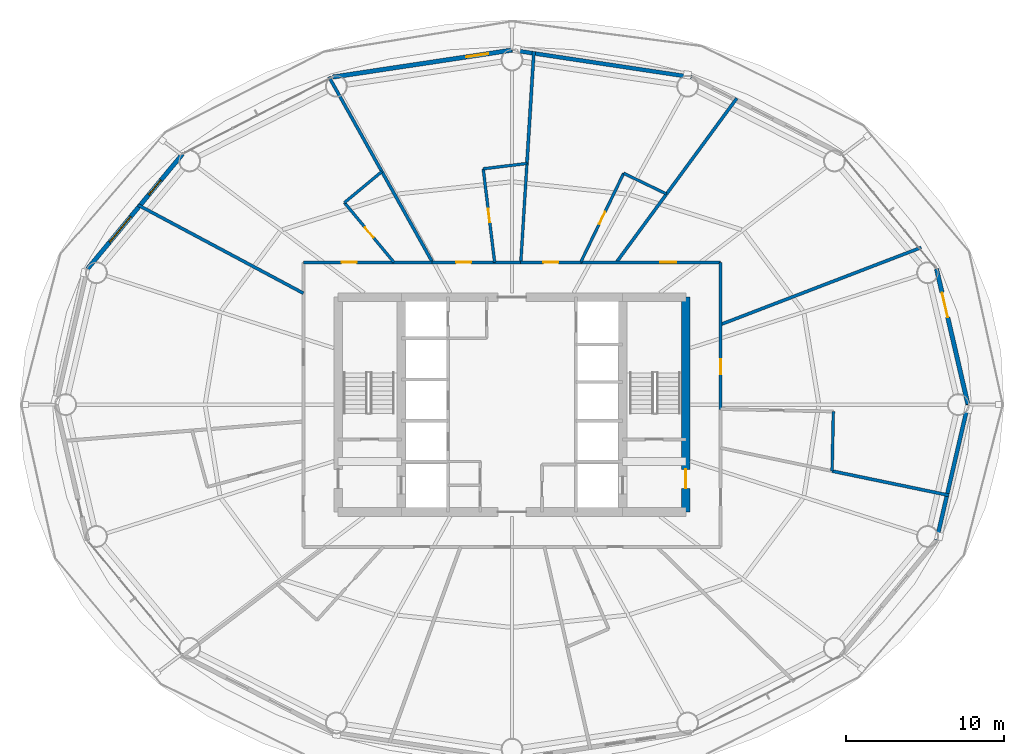
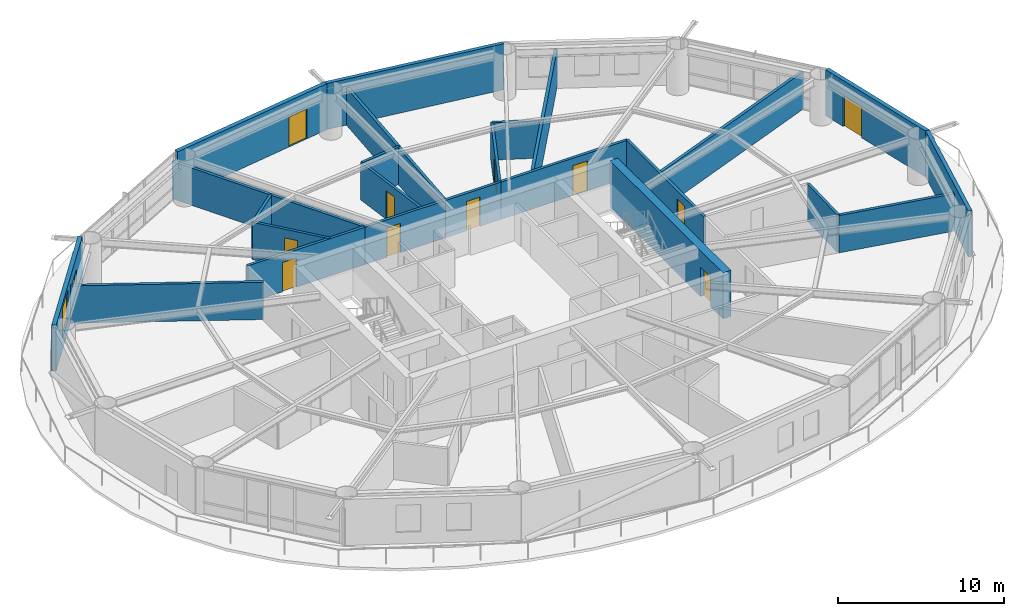
# One storey, part 20 of 24: 25 walls, 11 doors, 2 windows, 13 openings.
"""IFC4 building model written with IfcOpenShell, lengths in metres."""

from ifc_helpers import new_model, si_unit, direction, frame, frame_2d, origin, place, context, subcontext, project, spatial, rectangle, extrude, material, layer, layer_set, type_object, element, fill, save


model = new_model("IFC4")

# Units and contexts
model_context = context("Model", 3, precision=1e-05, world=origin(), true_north=direction((0.0, 1.0)))
body_context = subcontext(model_context, "Body", "Model", "MODEL_VIEW")
ifc_project = project(units=[si_unit("LENGTHUNIT", "METRE"), si_unit("AREAUNIT", "SQUARE_METRE"), si_unit("VOLUMEUNIT", "CUBIC_METRE"), si_unit("PLANEANGLEUNIT", "RADIAN"), si_unit("MASSUNIT", "GRAM", prefix="KILO")], contexts=[model_context])

# Site, building, storey
site_placement = place(None, origin())
site = spatial("IfcSite", under=ifc_project, at=site_placement, CompositionType="ELEMENT")
building_placement = place(site_placement, origin())
building = spatial("IfcBuilding", under=site, at=building_placement, Name="Sarneth Arch Tower", CompositionType="ELEMENT")
storey_placement = place(building_placement, frame((0.0, 0.0, 127.199951171875)))
storey = spatial("IfcBuildingStorey", under=building, at=storey_placement, Name="L32", CompositionType="ELEMENT", Elevation=127.199951171875)

# Wall, opening, door
ifc_material_1 = material(Name="Concrete C60/75", Category="concrete")
ifc_layer_1 = layer(ifc_material_1, 0.550048828125)
ifc_layer_set_1 = layer_set([ifc_layer_1], Name="Concrete C60/75")
wall_type_1 = type_object("IfcWallType", Name="WALL-CORE-550", PredefinedType="SHEAR", material=ifc_layer_set_1)
wall_1_placement = place(storey_placement, frame((59.0, 35.199951171875, 0.0), z_axis=(0.0, 0.0, 1.0), x_axis=(0.0, 1.0, 0.0)))
wall_1 = element("IfcWall", 1, at=wall_1_placement, inside=storey, type_object=wall_type_1, Name="L32 Core shear wall E", PredefinedType="SHEAR", context=body_context, shape_type="SweptSolid", body=[
    extrude(rectangle(XDim=13.60009765625, YDim=0.550048828125, at=frame_2d((6.800048828125, 0.0))), origin(), (0.0, 0.0, 1.0), 3.380126953125),
])
opening_1_placement = place(wall_1_placement, frame((1.5, 0.0, 0.0)))
opening_1 = element("IfcOpeningElement", 2, at=opening_1_placement, cuts=wall_1, Name="Opening FD-02", PredefinedType="OPENING", context=body_context, shape_type="SweptSolid", body=[
    extrude(rectangle(XDim=1.199951171875, YDim=2.14990234375, at=frame_2d((0.60009765625, 1.074951171875))), frame((0.0, 0.284912109375, 0.0), z_axis=(0.0, -1.0, 0.0), x_axis=(1.0, 0.0, 0.0)), (0.0, 0.0, 1.0), 0.570068359375),
])
ifc_material_2 = material(Name="Galvanised Steel S275 fire door set", Category="steel")
door_type_1 = type_object("IfcDoorType", Name="DR-FD90-1200", OperationType="SINGLE_SWING_LEFT", PredefinedType="DOOR", material=ifc_material_2)
door_1_placement = place(opening_1_placement, origin())
door_1 = element("IfcDoor", 3, at=door_1_placement, inside=storey, type_object=door_type_1, Name="L32 Firefighting lobby 2 exit door", OperationType="SINGLE_SWING_RIGHT", OverallHeight=2.14990234375, OverallWidth=1.199951171875, PredefinedType="DOOR", context=body_context, shape_type="SweptSolid", body=[
    extrude(rectangle(XDim=1.199951171875, YDim=2.14990234375, at=frame_2d((0.60009765625, 1.074951171875))), frame((0.0, 0.02490234375, 0.0), z_axis=(0.0, -1.0, 0.0), x_axis=(1.0, 0.0, 0.0)), (0.0, 0.0, 1.0), 0.050048828125),
])
fill(opening_1, door_1)

ifc_material_3 = material(Name="Double steel-stud corridor fire wall", Category="steel")
ifc_layer_2 = layer(ifc_material_3, 0.18994140625)
ifc_layer_set_2 = layer_set([ifc_layer_2], Name="Double steel-stud corridor fire wall")
wall_type_2 = type_object("IfcWallType", Name="WALL-CORR-190", PredefinedType="PARTITIONING", material=ifc_layer_set_2)
wall_2_placement = place(storey_placement, frame((52.31005859375, 51.0, 0.0), z_axis=(0.0, 0.0, 1.0), x_axis=(1.0, 0.0, 0.0)))
wall_2 = element("IfcWall", 4, at=wall_2_placement, inside=storey, type_object=wall_type_2, Name="L32 Interior partition W-L32-TP-001", PredefinedType="PARTITIONING", context=body_context, shape_type="SweptSolid", body=[
    extrude(rectangle(XDim=8.889892578125, YDim=0.18994140625, at=frame_2d((4.44482421875, 0.0))), origin(), (0.0, 0.0, 1.0), 2.739990234375),
])
opening_2_placement = place(wall_2_placement, frame((5.072509765625, 0.0, 0.0)))
opening_2 = element("IfcOpeningElement", 5, at=opening_2_placement, cuts=wall_2, Name="Opening FD-08", PredefinedType="OPENING", context=body_context, shape_type="SweptSolid", body=[
    extrude(rectangle(XDim=1.0, YDim=2.199951171875, at=frame_2d((0.5, 1.10009765625))), frame((0.0, 0.10498046875, 0.0), z_axis=(0.0, -1.0, 0.0), x_axis=(1.0, 0.0, 0.0)), (0.0, 0.0, 1.0), 0.2099609375),
])
ifc_material_4 = material(Name="Hardwood timber acoustic fire door", Category="wood")
door_type_2 = type_object("IfcDoorType", Name="DR-FD60-1000", OperationType="SINGLE_SWING_LEFT", PredefinedType="DOOR", material=ifc_material_4)
door_2_placement = place(opening_2_placement, origin())
door_2 = element("IfcDoor", 6, at=door_2_placement, inside=storey, type_object=door_type_2, Name="L32 Interior door DR-L32-AMN-01", OperationType="SINGLE_SWING_LEFT", OverallHeight=2.199951171875, OverallWidth=1.0, PredefinedType="DOOR", context=body_context, shape_type="SweptSolid", body=[
    extrude(rectangle(XDim=1.0, YDim=2.199951171875, at=frame_2d((0.5, 1.10009765625))), frame((0.0, 0.02490234375, 0.0), z_axis=(0.0, -1.0, 0.0), x_axis=(1.0, 0.0, 0.0)), (0.0, 0.0, 1.0), 0.050048828125),
])
fill(opening_2, door_2)

wall_3_placement = place(storey_placement, frame((34.800048828125, 51.0, 0.0), z_axis=(0.0, 0.0, 1.0), x_axis=(1.0, 0.0, 0.0)))
wall_3 = element("IfcWall", 7, at=wall_3_placement, inside=storey, type_object=wall_type_2, Name="L32 Interior partition W-L32-TP-008", PredefinedType="PARTITIONING", context=body_context, shape_type="SweptSolid", body=[
    extrude(rectangle(XDim=8.21044921875, YDim=0.18994140625, at=frame_2d((4.105224609375, 0.0))), origin(), (0.0, 0.0, 1.0), 2.739990234375),
])
opening_3_placement = place(wall_3_placement, frame((2.412353515625, 0.0, 0.0)))
opening_3 = element("IfcOpeningElement", 8, at=opening_3_placement, cuts=wall_3, Name="Opening FD-09", PredefinedType="OPENING", context=body_context, shape_type="SweptSolid", body=[
    extrude(rectangle(XDim=0.949951171875, YDim=2.14990234375, at=frame_2d((0.47509765625, 1.074951171875))), frame((0.0, 0.10498046875, 0.0), z_axis=(0.0, -1.0, 0.0), x_axis=(1.0, 0.0, 0.0)), (0.0, 0.0, 1.0), 0.2099609375),
])
ifc_material_5 = material(Name="Hardwood timber hotel entrance fire door", Category="wood")
door_type_3 = type_object("IfcDoorType", Name="DR-FD60-950", OperationType="SINGLE_SWING_RIGHT", PredefinedType="DOOR", material=ifc_material_5)
door_3_placement = place(opening_3_placement, origin())
door_3 = element("IfcDoor", 9, at=door_3_placement, inside=storey, type_object=door_type_3, Name="L32 Interior door DR-L32-KEY-04", OperationType="SINGLE_SWING_LEFT", OverallHeight=2.14990234375, OverallWidth=0.949951171875, PredefinedType="DOOR", context=body_context, shape_type="SweptSolid", body=[
    extrude(rectangle(XDim=0.949951171875, YDim=2.14990234375, at=frame_2d((0.47509765625, 1.074951171875))), frame((0.0, 0.02490234375, 0.0), z_axis=(0.0, -1.0, 0.0), x_axis=(1.0, 0.0, 0.0)), (0.0, 0.0, 1.0), 0.050048828125),
])
fill(opening_3, door_3)

wall_4_placement = place(storey_placement, frame((61.199951171875, 51.0, 0.0), z_axis=(0.0, 0.0, 1.0), x_axis=(0.0, -1.0, 0.0)))
wall_4 = element("IfcWall", 10, at=wall_4_placement, inside=storey, type_object=wall_type_2, Name="L32 Interior partition W-L32-TP-021", PredefinedType="PARTITIONING", context=body_context, shape_type="SweptSolid", body=[
    extrude(rectangle(XDim=9.314697265625, YDim=0.18994140625, at=frame_2d((4.6572265625, 0.0))), origin(), (0.0, 0.0, 1.0), 2.739990234375),
])
opening_4_placement = place(wall_4_placement, frame((6.131591796875, 0.0, 0.0)))
opening_4 = element("IfcOpeningElement", 11, at=opening_4_placement, cuts=wall_4, Name="Opening FD-09", PredefinedType="OPENING", context=body_context, shape_type="SweptSolid", body=[
    extrude(rectangle(XDim=0.949951171875, YDim=2.14990234375, at=frame_2d((0.47509765625, 1.074951171875))), frame((0.0, 0.10498046875, 0.0), z_axis=(0.0, -1.0, 0.0), x_axis=(1.0, 0.0, 0.0)), (0.0, 0.0, 1.0), 0.2099609375),
])
door_4_placement = place(opening_4_placement, origin())
door_4 = element("IfcDoor", 12, at=door_4_placement, inside=storey, type_object=door_type_3, Name="L32 Interior door DR-L32-KEY-11", OperationType="SINGLE_SWING_LEFT", OverallHeight=2.14990234375, OverallWidth=0.949951171875, PredefinedType="DOOR", context=body_context, shape_type="SweptSolid", body=[
    extrude(rectangle(XDim=0.949951171875, YDim=2.14990234375, at=frame_2d((0.47509765625, 1.074951171875))), frame((0.0, 0.02490234375, 0.0), z_axis=(0.0, -1.0, 0.0), x_axis=(1.0, 0.0, 0.0)), (0.0, 0.0, 1.0), 0.050048828125),
])
fill(opening_4, door_4)

wall_5_placement = place(storey_placement, frame((42.93701171875, 51.0, 0.0), z_axis=(0.0, 0.0, 1.0), x_axis=(1.0, 0.0, 0.0)))
wall_5 = element("IfcWall", 13, at=wall_5_placement, inside=storey, type_object=wall_type_2, Name="L32 Interior partition W-L32-TP-005", PredefinedType="PARTITIONING", context=body_context, shape_type="SweptSolid", body=[
    extrude(rectangle(XDim=5.652587890625, YDim=0.18994140625, at=frame_2d((2.826171875, 0.0))), origin(), (0.0, 0.0, 1.0), 2.739990234375),
])
opening_5_placement = place(wall_5_placement, frame((1.523681640625, 0.0, 0.0)))
opening_5 = element("IfcOpeningElement", 14, at=opening_5_placement, cuts=wall_5, Name="Opening FD-09", PredefinedType="OPENING", context=body_context, shape_type="SweptSolid", body=[
    extrude(rectangle(XDim=0.949951171875, YDim=2.14990234375, at=frame_2d((0.47509765625, 1.074951171875))), frame((0.0, 0.10498046875, 0.0), z_axis=(0.0, -1.0, 0.0), x_axis=(1.0, 0.0, 0.0)), (0.0, 0.0, 1.0), 0.2099609375),
])
door_5_placement = place(opening_5_placement, origin())
door_5 = element("IfcDoor", 15, at=door_5_placement, inside=storey, type_object=door_type_3, Name="L32 Interior door DR-L32-KEY-03", OperationType="SINGLE_SWING_LEFT", OverallHeight=2.14990234375, OverallWidth=0.949951171875, PredefinedType="DOOR", context=body_context, shape_type="SweptSolid", body=[
    extrude(rectangle(XDim=0.949951171875, YDim=2.14990234375, at=frame_2d((0.47509765625, 1.074951171875))), frame((0.0, 0.02490234375, 0.0), z_axis=(0.0, -1.0, 0.0), x_axis=(1.0, 0.0, 0.0)), (0.0, 0.0, 1.0), 0.050048828125),
])
fill(opening_5, door_5)

wall_6_placement = place(storey_placement, frame((48.525390625, 51.0, 0.0), z_axis=(0.0, 0.0, 1.0), x_axis=(1.0, 0.0, 0.0)))
wall_6 = element("IfcWall", 16, at=wall_6_placement, inside=storey, type_object=wall_type_2, Name="L32 Interior partition W-L32-TP-003", PredefinedType="PARTITIONING", context=body_context, shape_type="SweptSolid", body=[
    extrude(rectangle(XDim=3.855712890625, YDim=0.18994140625, at=frame_2d((1.927734375, 0.0))), origin(), (0.0, 0.0, 1.0), 2.739990234375),
])
opening_6_placement = place(wall_6_placement, frame((1.45263671875, 0.0, 0.0)))
opening_6 = element("IfcOpeningElement", 17, at=opening_6_placement, cuts=wall_6, Name="Opening FD-09", PredefinedType="OPENING", context=body_context, shape_type="SweptSolid", body=[
    extrude(rectangle(XDim=0.949951171875, YDim=2.14990234375, at=frame_2d((0.47509765625, 1.074951171875))), frame((0.0, 0.10498046875, 0.0), z_axis=(0.0, -1.0, 0.0), x_axis=(1.0, 0.0, 0.0)), (0.0, 0.0, 1.0), 0.2099609375),
])
door_6_placement = place(opening_6_placement, origin())
door_6 = element("IfcDoor", 18, at=door_6_placement, inside=storey, type_object=door_type_3, Name="L32 Interior door DR-L32-KEY-02", OperationType="SINGLE_SWING_LEFT", OverallHeight=2.14990234375, OverallWidth=0.949951171875, PredefinedType="DOOR", context=body_context, shape_type="SweptSolid", body=[
    extrude(rectangle(XDim=0.949951171875, YDim=2.14990234375, at=frame_2d((0.47509765625, 1.074951171875))), frame((0.0, 0.02490234375, 0.0), z_axis=(0.0, -1.0, 0.0), x_axis=(1.0, 0.0, 0.0)), (0.0, 0.0, 1.0), 0.050048828125),
])
fill(opening_6, door_6)

# Walls
ifc_material_6 = material(Name="Extruded terracotta rainscreen on Concrete C40/50 backing", Category="masonry")
ifc_layer_3 = layer(ifc_material_6, 0.25)
ifc_layer_set_3 = layer_set([ifc_layer_3], Name="Extruded terracotta rainscreen on Concrete C40/50 backing")
wall_type_3 = type_object("IfcWallType", Name="WALL-EXT-SPAND-250", PredefinedType="SOLIDWALL", material=ifc_layer_set_3)
wall_7_placement = place(storey_placement, frame((59.351318359375, 62.72265625, 0.0), z_axis=(0.0, 0.0, 1.0), x_axis=(-0.988877774656, 0.148730450117, 0.0)))
element("IfcWall", 19, at=wall_7_placement, inside=storey, type_object=wall_type_3, Name="L32 Terracotta perimeter wall 04", PredefinedType="SOLIDWALL", context=body_context, shape_type="SweptSolid", body=[
    extrude(rectangle(XDim=11.47900390625, YDim=0.25, at=frame_2d((5.739501953125, 0.0))), origin(), (0.0, 0.0, 1.0), 3.380126953125),
])
wall_8_placement = place(storey_placement, frame((74.861328125, 33.41650390625, 0.0), z_axis=(0.0, 0.0, 1.0), x_axis=(0.22558597182, 0.974223264616, 0.0)))
element("IfcWall", 20, at=wall_8_placement, inside=storey, type_object=wall_type_3, Name="L32 Terracotta perimeter wall 16", PredefinedType="SOLIDWALL", context=body_context, shape_type="SweptSolid", body=[
    extrude(rectangle(XDim=8.810546875, YDim=0.25, at=frame_2d((4.4052734375, 0.0))), origin(), (0.0, 0.0, 1.0), 3.380126953125),
])

# Wall, opening, door
ifc_material_7 = material(Name="Extruded terracotta rainscreen on Concrete C40/50 backing", Category="masonry")
ifc_layer_4 = layer(ifc_material_7, 0.280029296875)
ifc_layer_set_4 = layer_set([ifc_layer_4], Name="Extruded terracotta rainscreen on Concrete C40/50 backing")
wall_type_4 = type_object("IfcWallType", Name="WALL-EXT-TERRA-280", PredefinedType="SOLIDWALL", material=ifc_layer_set_4)
wall_9_placement = place(storey_placement, frame((76.848876953125, 42.0, 0.0), z_axis=(0.0, 0.0, 1.0), x_axis=(-0.22558597182, 0.974223264616, 0.0)))
wall_9 = element("IfcWall", 21, at=wall_9_placement, inside=storey, type_object=wall_type_4, Name="L32 Terracotta perimeter wall 01", PredefinedType="SOLIDWALL", context=body_context, shape_type="SweptSolid", body=[
    extrude(rectangle(XDim=8.810546875, YDim=0.280029296875, at=frame_2d((4.4052734375, 0.0))), origin(), (0.0, 0.0, 1.0), 3.380126953125),
])
opening_7_placement = place(wall_9_placement, frame((5.674560546875, 0.0, 0.0)))
opening_7 = element("IfcOpeningElement", 22, at=opening_7_placement, cuts=wall_9, Name="Opening BD-1", PredefinedType="OPENING", context=body_context, shape_type="SweptSolid", body=[
    extrude(rectangle(XDim=1.60009765625, YDim=2.25, at=frame_2d((0.800048828125, 1.125))), frame((0.0, 0.14990234375, 0.0), z_axis=(0.0, -1.0, 0.0), x_axis=(1.0, 0.0, 0.0)), (0.0, 0.0, 1.0), 0.300048828125),
])
ifc_material_8 = material(Name="Thermally broken Aluminium 6063-T6 and laminated safety glass", Category="aluminium")
door_type_4 = type_object("IfcDoorType", Name="DR-BALC-GLZ-1600", OperationType="DOUBLE_DOOR_SINGLE_SWING", PredefinedType="DOOR", material=ifc_material_8)
door_7_placement = place(opening_7_placement, origin())
door_7 = element("IfcDoor", 23, at=door_7_placement, inside=storey, type_object=door_type_4, Name="L32 Balcony glazed door 01", OperationType="DOUBLE_DOOR_SINGLE_SWING", OverallHeight=2.25, OverallWidth=1.60009765625, PredefinedType="DOOR", context=body_context, shape_type="SweptSolid", body=[
    extrude(rectangle(XDim=1.60009765625, YDim=2.25, at=frame_2d((0.800048828125, 1.125))), frame((0.0, 0.02490234375, 0.0), z_axis=(0.0, -1.0, 0.0), x_axis=(1.0, 0.0, 0.0)), (0.0, 0.0, 1.0), 0.050048828125),
])
fill(opening_7, door_7)

wall_10_placement = place(storey_placement, frame((48.0, 64.429931640625, 0.0), z_axis=(0.0, 0.0, 1.0), x_axis=(-0.988877774656, -0.148730450117, 0.0)))
wall_10 = element("IfcWall", 24, at=wall_10_placement, inside=storey, type_object=wall_type_4, Name="L32 Terracotta perimeter wall 05", PredefinedType="SOLIDWALL", context=body_context, shape_type="SweptSolid", body=[
    extrude(rectangle(XDim=11.47900390625, YDim=0.280029296875, at=frame_2d((5.739501953125, 0.0))), origin(), (0.0, 0.0, 1.0), 3.380126953125),
])
opening_8_placement = place(wall_10_placement, frame((1.523681640625, 0.0, 0.0)))
opening_8 = element("IfcOpeningElement", 25, at=opening_8_placement, cuts=wall_10, Name="Opening BD-2", PredefinedType="OPENING", context=body_context, shape_type="SweptSolid", body=[
    extrude(rectangle(XDim=1.39990234375, YDim=2.199951171875, at=frame_2d((0.699951171875, 1.10009765625))), frame((0.0, 0.14990234375, 0.0), z_axis=(0.0, -1.0, 0.0), x_axis=(1.0, 0.0, 0.0)), (0.0, 0.0, 1.0), 0.300048828125),
])
ifc_material_9 = material(Name="Thermally broken Aluminium 6063-T6 and laminated safety glass", Category="aluminium")
door_type_5 = type_object("IfcDoorType", Name="DR-BALC-GLZ-1400", OperationType="SINGLE_SWING_LEFT", PredefinedType="DOOR", material=ifc_material_9)
door_8_placement = place(opening_8_placement, origin())
door_8 = element("IfcDoor", 26, at=door_8_placement, inside=storey, type_object=door_type_5, Name="L32 Balcony glazed door 05", OperationType="SINGLE_SWING_LEFT", OverallHeight=2.199951171875, OverallWidth=1.39990234375, PredefinedType="DOOR", context=body_context, shape_type="SweptSolid", body=[
    extrude(rectangle(XDim=1.39990234375, YDim=2.199951171875, at=frame_2d((0.699951171875, 1.10009765625))), frame((0.0, 0.02490234375, 0.0), z_axis=(0.0, -1.0, 0.0), x_axis=(1.0, 0.0, 0.0)), (0.0, 0.0, 1.0), 0.050048828125),
])
fill(opening_8, door_8)

# Wall, openings, windows
wall_11_placement = place(storey_placement, frame((27.159912109375, 57.8603515625, 0.0), z_axis=(0.0, 0.0, 1.0), x_axis=(-0.637505817448, -0.770445541696, 0.0)))
wall_11 = element("IfcWall", 27, at=wall_11_placement, inside=storey, type_object=wall_type_4, Name="L32 Terracotta perimeter wall 07", PredefinedType="SOLIDWALL", context=body_context, shape_type="SweptSolid", body=[
    extrude(rectangle(XDim=9.445068359375, YDim=0.280029296875, at=frame_2d((4.72265625, 0.0))), origin(), (0.0, 0.0, 1.0), 3.380126953125),
])
opening_9_placement = place(wall_11_placement, frame((2.150146484375, 0.0, 0.85009765625)))
opening_9 = element("IfcOpeningElement", 28, at=opening_9_placement, cuts=wall_11, Name="Opening W-10", PredefinedType="OPENING", context=body_context, shape_type="SweptSolid", body=[
    extrude(rectangle(XDim=1.199951171875, YDim=1.60009765625, at=frame_2d((0.60009765625, 0.800048828125))), frame((0.0, 0.14990234375, 0.0), z_axis=(0.0, -1.0, 0.0), x_axis=(1.0, 0.0, 0.0)), (0.0, 0.0, 1.0), 0.300048828125),
])
opening_10_placement = place(wall_11_placement, frame((5.1533203125, 0.0, 0.85009765625)))
opening_10 = element("IfcOpeningElement", 29, at=opening_10_placement, cuts=wall_11, Name="Opening W-03", PredefinedType="OPENING", context=body_context, shape_type="SweptSolid", body=[
    extrude(rectangle(XDim=2.10009765625, YDim=2.199951171875, at=frame_2d((1.050048828125, 1.10009765625))), frame((0.0, 0.14990234375, 0.0), z_axis=(0.0, -1.0, 0.0), x_axis=(1.0, 0.0, 0.0)), (0.0, 0.0, 1.0), 0.300048828125),
])
ifc_material_10 = material(Name="Thermally broken Aluminium 6063-T6 and low-e laminated IGU", Category="aluminium")
window_type_1 = type_object("IfcWindowType", Name="WIN-TWR-1200x1600", PartitioningType="SINGLE_PANEL", PredefinedType="WINDOW", material=ifc_material_10)
window_1_placement = place(opening_9_placement, origin())
window_1 = element("IfcWindow", 30, at=window_1_placement, inside=storey, type_object=window_type_1, Name="L32 Exterior window 07A", OverallHeight=1.60009765625, OverallWidth=1.199951171875, PartitioningType="SINGLE_PANEL", PredefinedType="WINDOW", context=body_context, shape_type="SweptSolid", body=[
    extrude(rectangle(XDim=1.199951171875, YDim=1.60009765625, at=frame_2d((0.60009765625, 0.800048828125))), frame((0.0, 0.030029296875, 0.0), z_axis=(0.0, -1.0, 0.0), x_axis=(1.0, 0.0, 0.0)), (0.0, 0.0, 1.0), 0.06005859375),
])
fill(opening_9, window_1)
ifc_material_11 = material(Name="Thermally broken Aluminium 6063-T6 and low-e laminated IGU", Category="aluminium")
window_type_2 = type_object("IfcWindowType", Name="WIN-TWR-2100x2200", PartitioningType="DOUBLE_PANEL_VERTICAL", PredefinedType="WINDOW", material=ifc_material_11)
window_2_placement = place(opening_10_placement, origin())
window_2 = element("IfcWindow", 31, at=window_2_placement, inside=storey, type_object=window_type_2, Name="L32 Exterior window 07B", OverallHeight=2.199951171875, OverallWidth=2.10009765625, PartitioningType="SINGLE_PANEL", PredefinedType="WINDOW", context=body_context, shape_type="SweptSolid", body=[
    extrude(rectangle(XDim=2.10009765625, YDim=2.199951171875, at=frame_2d((1.050048828125, 1.10009765625))), frame((0.0, 0.030029296875, 0.0), z_axis=(0.0, -1.0, 0.0), x_axis=(1.0, 0.0, 0.0)), (0.0, 0.0, 1.0), 0.06005859375),
])
fill(opening_10, window_2)

# Wall
ifc_material_12 = material(Name="Moisture-resistant plumbing chase wall", Category="gypsum")
ifc_layer_5 = layer(ifc_material_12, 0.179931640625)
ifc_layer_set_5 = layer_set([ifc_layer_5], Name="Moisture-resistant plumbing chase wall")
wall_type_5 = type_object("IfcWallType", Name="WALL-PLUMB-180", PredefinedType="PLUMBINGWALL", material=ifc_layer_set_5)
wall_12_placement = place(storey_placement, frame((48.9453125, 57.25634765625, 0.0), z_axis=(0.0, 0.0, 1.0), x_axis=(-0.061849673623, -0.998085476236, 0.0)))
element("IfcWall", 32, at=wall_12_placement, inside=storey, type_object=wall_type_5, Name="L32 Interior partition W-L32-TP-029", PredefinedType="PLUMBINGWALL", context=body_context, shape_type="SweptSolid", body=[
    extrude(rectangle(XDim=6.268310546875, YDim=0.179931640625, at=frame_2d((3.13427734375, 0.0))), origin(), (0.0, 0.0, 1.0), 2.739990234375),
])

# Wall, opening, door
wall_13_placement = place(storey_placement, frame((55.066162109375, 56.634765625, 0.0), z_axis=(0.0, 0.0, 1.0), x_axis=(-0.434810168298, -0.900522136066, 0.0)))
wall_13 = element("IfcWall", 33, at=wall_13_placement, inside=storey, type_object=wall_type_5, Name="L32 Interior partition W-L32-TP-027", PredefinedType="PLUMBINGWALL", context=body_context, shape_type="SweptSolid", body=[
    extrude(rectangle(XDim=6.25732421875, YDim=0.179931640625, at=frame_2d((3.128662109375, 0.0))), origin(), (0.0, 0.0, 1.0), 2.739990234375),
])
opening_11_placement = place(wall_13_placement, frame((2.70361328125, 0.0, 0.0)))
opening_11 = element("IfcOpeningElement", 34, at=opening_11_placement, cuts=wall_13, Name="Opening ID-02", PredefinedType="OPENING", context=body_context, shape_type="SweptSolid", body=[
    extrude(rectangle(XDim=0.85009765625, YDim=2.10009765625, at=frame_2d((0.425048828125, 1.050048828125))), frame((0.0, 0.099853515625, 0.0), z_axis=(0.0, -1.0, 0.0), x_axis=(1.0, 0.0, 0.0)), (0.0, 0.0, 1.0), 0.199951171875),
])
ifc_material_13 = material(Name="Moisture-resistant bathroom timber door", Category="wood")
door_type_6 = type_object("IfcDoorType", Name="DR-INT-850", OperationType="SINGLE_SWING_RIGHT", PredefinedType="DOOR", material=ifc_material_13)
door_9_placement = place(opening_11_placement, origin())
door_9 = element("IfcDoor", 35, at=door_9_placement, inside=storey, type_object=door_type_6, Name="L32 Interior door DR-L32-ENS-02", OperationType="SINGLE_SWING_RIGHT", OverallHeight=2.10009765625, OverallWidth=0.85009765625, PredefinedType="DOOR", context=body_context, shape_type="SweptSolid", body=[
    extrude(rectangle(XDim=0.85009765625, YDim=2.10009765625, at=frame_2d((0.425048828125, 1.050048828125))), frame((0.0, 0.02490234375, 0.0), z_axis=(0.0, -1.0, 0.0), x_axis=(1.0, 0.0, 0.0)), (0.0, 0.0, 1.0), 0.050048828125),
])
fill(opening_11, door_9)

wall_14_placement = place(storey_placement, frame((46.902099609375, 51.0, 0.0), z_axis=(0.0, 0.0, 1.0), x_axis=(-0.121066182793, 0.992644437542, 0.0)))
wall_14 = element("IfcWall", 36, at=wall_14_placement, inside=storey, type_object=wall_type_5, Name="L32 Interior partition W-L32-TP-030", PredefinedType="PLUMBINGWALL", context=body_context, shape_type="SweptSolid", body=[
    extrude(rectangle(XDim=5.963134765625, YDim=0.179931640625, at=frame_2d((2.9814453125, 0.0))), origin(), (0.0, 0.0, 1.0), 2.739990234375),
])
opening_12_placement = place(wall_14_placement, frame((2.556396484375, 0.0, 0.0)))
opening_12 = element("IfcOpeningElement", 37, at=opening_12_placement, cuts=wall_14, Name="Opening ID-02", PredefinedType="OPENING", context=body_context, shape_type="SweptSolid", body=[
    extrude(rectangle(XDim=0.85009765625, YDim=2.10009765625, at=frame_2d((0.425048828125, 1.050048828125))), frame((0.0, 0.099853515625, 0.0), z_axis=(0.0, -1.0, 0.0), x_axis=(1.0, 0.0, 0.0)), (0.0, 0.0, 1.0), 0.199951171875),
])
door_10_placement = place(opening_12_placement, origin())
door_10 = element("IfcDoor", 38, at=door_10_placement, inside=storey, type_object=door_type_6, Name="L32 Interior door DR-L32-ENS-03", OperationType="SINGLE_SWING_RIGHT", OverallHeight=2.10009765625, OverallWidth=0.85009765625, PredefinedType="DOOR", context=body_context, shape_type="SweptSolid", body=[
    extrude(rectangle(XDim=0.85009765625, YDim=2.10009765625, at=frame_2d((0.425048828125, 1.050048828125))), frame((0.0, 0.02490234375, 0.0), z_axis=(0.0, -1.0, 0.0), x_axis=(1.0, 0.0, 0.0)), (0.0, 0.0, 1.0), 0.050048828125),
])
fill(opening_12, door_10)

wall_15_placement = place(storey_placement, frame((37.39794921875, 54.7783203125, 0.0), z_axis=(0.0, 0.0, 1.0), x_axis=(0.638549285416, -0.769580931478, 0.0)))
wall_15 = element("IfcWall", 39, at=wall_15_placement, inside=storey, type_object=wall_type_5, Name="L32 Interior partition W-L32-TP-035", PredefinedType="PLUMBINGWALL", context=body_context, shape_type="SweptSolid", body=[
    extrude(rectangle(XDim=4.90966796875, YDim=0.179931640625, at=frame_2d((2.454833984375, 0.0))), origin(), (0.0, 0.0, 1.0), 2.739990234375),
])
opening_13_placement = place(wall_15_placement, frame((2.02978515625, 0.0, 0.0)))
opening_13 = element("IfcOpeningElement", 40, at=opening_13_placement, cuts=wall_15, Name="Opening ID-02", PredefinedType="OPENING", context=body_context, shape_type="SweptSolid", body=[
    extrude(rectangle(XDim=0.85009765625, YDim=2.10009765625, at=frame_2d((0.425048828125, 1.050048828125))), frame((0.0, 0.099853515625, 0.0), z_axis=(0.0, -1.0, 0.0), x_axis=(1.0, 0.0, 0.0)), (0.0, 0.0, 1.0), 0.199951171875),
])
door_11_placement = place(opening_13_placement, origin())
door_11 = element("IfcDoor", 41, at=door_11_placement, inside=storey, type_object=door_type_6, Name="L32 Interior door DR-L32-ENS-04", OperationType="SINGLE_SWING_RIGHT", OverallHeight=2.10009765625, OverallWidth=0.85009765625, PredefinedType="DOOR", context=body_context, shape_type="SweptSolid", body=[
    extrude(rectangle(XDim=0.85009765625, YDim=2.10009765625, at=frame_2d((0.425048828125, 1.050048828125))), frame((0.0, 0.02490234375, 0.0), z_axis=(0.0, -1.0, 0.0), x_axis=(1.0, 0.0, 0.0)), (0.0, 0.0, 1.0), 0.050048828125),
])
fill(opening_13, door_11)

# Walls
wall_16_placement = place(storey_placement, frame((68.3330078125, 41.564453125, 0.0), z_axis=(0.0, 0.0, 1.0), x_axis=(-0.021438450782, -0.999770170003, 0.0)))
element("IfcWall", 42, at=wall_16_placement, inside=storey, type_object=wall_type_5, Name="L32 Interior partition W-L32-TP-054", PredefinedType="PLUMBINGWALL", context=body_context, shape_type="SweptSolid", body=[
    extrude(rectangle(XDim=3.76953125, YDim=0.179931640625, at=frame_2d((1.884765625, 0.0))), origin(), (0.0, 0.0, 1.0), 2.739990234375),
])
wall_17_placement = place(storey_placement, frame((39.766357421875, 56.743408203125, 0.0), z_axis=(0.0, 0.0, 1.0), x_axis=(-0.769591554132, -0.638536482755, 0.0)))
element("IfcWall", 43, at=wall_17_placement, inside=storey, type_object=wall_type_5, Name="L32 Interior partition W-L32-TP-034", PredefinedType="PLUMBINGWALL", context=body_context, shape_type="SweptSolid", body=[
    extrude(rectangle(XDim=3.077392578125, YDim=0.179931640625, at=frame_2d((1.53857421875, 0.0))), origin(), (0.0, 0.0, 1.0), 2.739990234375),
])
wall_18_placement = place(storey_placement, frame((57.778564453125, 55.3251953125, 0.0), z_axis=(0.0, 0.0, 1.0), x_axis=(-0.900534126875, 0.434785333623, 0.0)))
element("IfcWall", 44, at=wall_18_placement, inside=storey, type_object=wall_type_5, Name="L32 Interior partition W-L32-TP-026", PredefinedType="PLUMBINGWALL", context=body_context, shape_type="SweptSolid", body=[
    extrude(rectangle(XDim=3.011962890625, YDim=0.179931640625, at=frame_2d((1.505859375, 0.0))), origin(), (0.0, 0.0, 1.0), 2.739990234375),
])
wall_19_placement = place(storey_placement, frame((46.18017578125, 56.919189453125, 0.0), z_axis=(0.0, 0.0, 1.0), x_axis=(0.99264818918, 0.121035418441, 0.0)))
element("IfcWall", 45, at=wall_19_placement, inside=storey, type_object=wall_type_5, Name="L32 Interior partition W-L32-TP-031", PredefinedType="PLUMBINGWALL", context=body_context, shape_type="SweptSolid", body=[
    extrude(rectangle(XDim=2.78564453125, YDim=0.179931640625, at=frame_2d((1.392822265625, 0.0))), origin(), (0.0, 0.0, 1.0), 2.739990234375),
])
ifc_material_14 = material(Name="Double steel-stud acoustic drywall", Category="steel")
ifc_layer_6 = layer(ifc_material_14, 0.199951171875)
ifc_layer_set_6 = layer_set([ifc_layer_6], Name="Double steel-stud acoustic drywall")
wall_type_6 = type_object("IfcWallType", Name="WALL-UNIT-200", PredefinedType="PARTITIONING", material=ifc_layer_set_6)
wall_20_placement = place(storey_placement, frame((73.888427734375, 51.937744140625, 0.0), z_axis=(0.0, 0.0, 1.0), x_axis=(-0.933575508152, -0.358380762009, 0.0)))
element("IfcWall", 46, at=wall_20_placement, inside=storey, type_object=wall_type_6, Name="L32 Interior partition W-L32-TP-025", PredefinedType="PARTITIONING", context=body_context, shape_type="SweptSolid", body=[
    extrude(rectangle(XDim=13.59130859375, YDim=0.199951171875, at=frame_2d((6.795654296875, 0.0))), origin(), (0.0, 0.0, 1.0), 2.739990234375),
])
wall_21_placement = place(storey_placement, frame((24.335205078125, 54.631103515625, 0.0), z_axis=(0.0, 0.0, 1.0), x_axis=(0.882197358086, -0.470879837524, 0.0)))
element("IfcWall", 47, at=wall_21_placement, inside=storey, type_object=wall_type_6, Name="L32 Interior partition W-L32-TP-036", PredefinedType="PARTITIONING", context=body_context, shape_type="SweptSolid", body=[
    extrude(rectangle(XDim=11.8623046875, YDim=0.199951171875, at=frame_2d((5.93115234375, 0.0))), origin(), (0.0, 0.0, 1.0), 2.739990234375),
])
wall_22_placement = place(storey_placement, frame((75.643310546875, 36.26171875, 0.0), z_axis=(0.0, 0.0, 1.0), x_axis=(-0.979129223201, 0.203238687937, 0.0)))
element("IfcWall", 48, at=wall_22_placement, inside=storey, type_object=wall_type_6, Name="L32 Interior partition W-L32-TP-051", PredefinedType="PARTITIONING", context=body_context, shape_type="SweptSolid", body=[
    extrude(rectangle(XDim=7.548583984375, YDim=0.199951171875, at=frame_2d((3.7744140625, 0.0))), origin(), (0.0, 0.0, 1.0), 2.739990234375),
])
wall_23_placement = place(storey_placement, frame((54.604736328125, 51.0, 0.0), z_axis=(0.0, 0.0, 1.0), x_axis=(0.591626609971, 0.806212102597, 0.0)))
element("IfcWall", 49, at=wall_23_placement, inside=storey, type_object=wall_type_6, Name="L32 Interior partition W-L32-TP-023", PredefinedType="PARTITIONING", context=body_context, shape_type="SweptSolid", body=[
    extrude(rectangle(XDim=12.879150390625, YDim=0.199951171875, at=frame_2d((6.439453125, 0.0))), origin(), (0.0, 0.0, 1.0), 2.739990234375),
])
wall_24_placement = place(storey_placement, frame((49.38427734375, 64.3427734375, 0.0), z_axis=(0.0, 0.0, 1.0), x_axis=(-0.061825960445, -0.998086945419, 0.0)))
element("IfcWall", 50, at=wall_24_placement, inside=storey, type_object=wall_type_6, Name="L32 Interior partition W-L32-TP-028", PredefinedType="PARTITIONING", context=body_context, shape_type="SweptSolid", body=[
    extrude(rectangle(XDim=7.10009765625, YDim=0.199951171875, at=frame_2d((3.550048828125, 0.0))), origin(), (0.0, 0.0, 1.0), 2.739990234375),
])
wall_25_placement = place(storey_placement, frame((42.973876953125, 51.0, 0.0), z_axis=(0.0, 0.0, 1.0), x_axis=(-0.487587337482, 0.873074216964, 0.0)))
element("IfcWall", 51, at=wall_25_placement, inside=storey, type_object=wall_type_6, Name="L32 Interior partition W-L32-TP-032", PredefinedType="PARTITIONING", context=body_context, shape_type="SweptSolid", body=[
    extrude(rectangle(XDim=13.445556640625, YDim=0.199951171875, at=frame_2d((6.72265625, 0.0))), origin(), (0.0, 0.0, 1.0), 2.739990234375),
])

save(model, "model.ifc")
